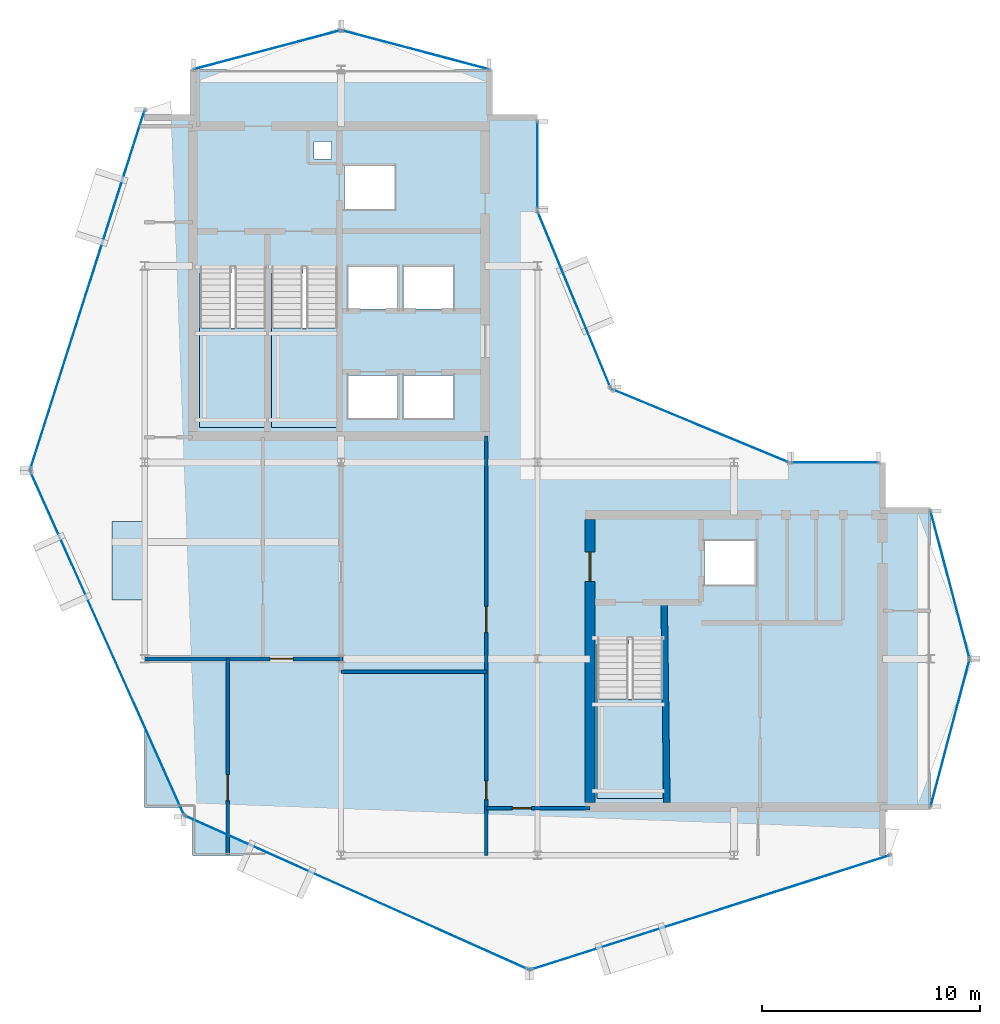
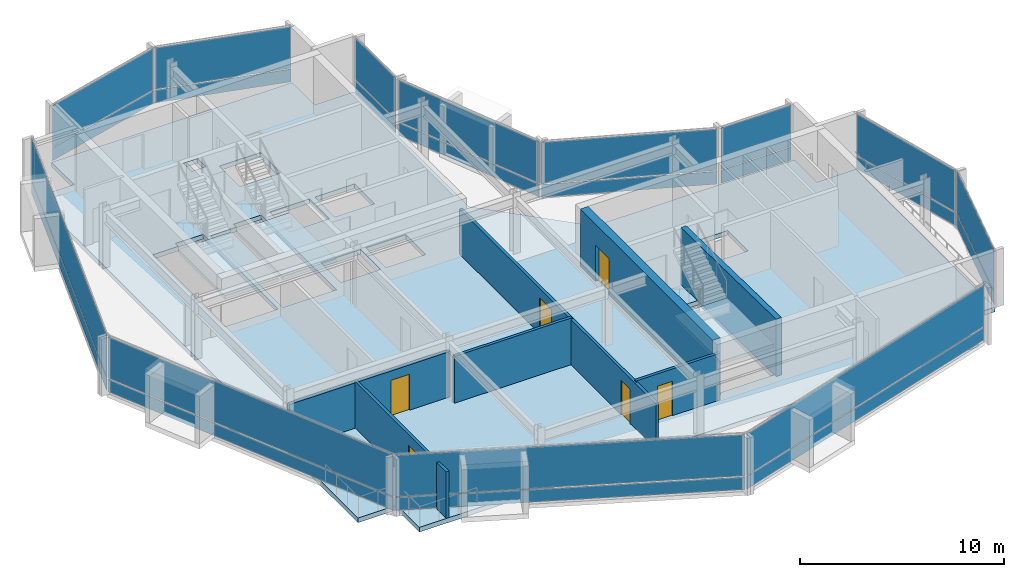
# One storey, part 13 of 19: 24 plates, 7 walls, 6 doors, 5 slabs, 6 openings, 15 elements without a shape of their own.
"""IFC4 building model written with IfcOpenShell, lengths in metres."""

from ifc_helpers import new_model, si_unit, direction, frame, frame_2d, origin, origin_2d, place, context, subcontext, project, spatial, polyline, rectangle, outline, extrude, material, layer, layer_set, type_object, element, fill, aggregate, save


model = new_model("IFC4")

# Units and contexts
model_context = context("Model", 3, precision=1e-05, world=origin(), true_north=direction((0.0, 1.0)))
body_context = subcontext(model_context, "Body", "Model", "MODEL_VIEW")
ifc_project = project(units=[si_unit("LENGTHUNIT", "METRE"), si_unit("AREAUNIT", "SQUARE_METRE"), si_unit("VOLUMEUNIT", "CUBIC_METRE"), si_unit("PLANEANGLEUNIT", "RADIAN"), si_unit("MASSUNIT", "GRAM", prefix="KILO")], contexts=[model_context])

# Site, building, storey
site_placement = place(None, origin())
site = spatial("IfcSite", under=ifc_project, at=site_placement, CompositionType="ELEMENT")
building_placement = place(site_placement, origin())
building = spatial("IfcBuilding", under=site, at=building_placement, Name="Solvaryn Broadcast Tower", CompositionType="ELEMENT")
storey_placement = place(building_placement, frame((0.0, 0.0, 270.39990234375)))
storey = spatial("IfcBuildingStorey", under=building, at=storey_placement, Name="L68", CompositionType="ELEMENT", Elevation=270.39990234375)

# Curtain wall, plates
ifc_material_1 = material(Name="Aluminium and Terracotta Unitised Curtain Wall", Category="masonry")
ifc_layer_1 = layer(ifc_material_1, 0.199951171875)
ifc_layer_set_1 = layer_set([ifc_layer_1], Name="CW-SYS2-LOWMID")
curtain_wall_type = type_object("IfcCurtainWallType", Name="CW-SYS2-LOWMID", PredefinedType="NOTDEFINED", material=ifc_layer_set_1)
curtain_wall_1_placement = place(storey_placement, origin())
curtain_wall_1 = element("IfcCurtainWall", 1, at=curtain_wall_1_placement, inside=storey, type_object=curtain_wall_type, Name="L68 Curtain Wall DR1", PredefinedType="NOTDEFINED")
ifc_material_2 = material(Name="Kiln-Fired Architectural Terracotta Spandrel", Category="masonry")
ifc_layer_2 = layer(ifc_material_2, 0.048095703125)
ifc_layer_set_2 = layer_set([ifc_layer_2], Name="CW-PNL-TERRACOTTA")
plate_type = type_object("IfcPlateType", Name="CW-PNL-TERRACOTTA", PredefinedType="CURTAIN_PANEL", material=ifc_layer_set_2)
plate_1_placement = place(storey_placement, frame((6.368896484375, 34.892578125, 0.06005859375), z_axis=(0.0, 0.0, 1.0), x_axis=(-0.30361564569, -0.952794594701, 0.0)))
plate_1 = element("IfcPlate", 2, at=plate_1_placement, type_object=plate_type, Name="CWS2 panel 1.1", PredefinedType="CURTAIN_PANEL", context=body_context, shape_type="SweptSolid", body=[
    extrude(rectangle(XDim=17.211181640625, YDim=0.028076171875, at=origin_2d()), origin(), (0.0, 0.0, 1.0), 0.760009765625),
])
plate_2_placement = place(storey_placement, frame((6.368896484375, 34.892578125, 0.880126953125), z_axis=(0.0, 0.0, 1.0), x_axis=(-0.30361564569, -0.952794594701, 0.0)))
plate_2 = element("IfcPlate", 3, at=plate_2_placement, type_object=plate_type, Name="CWS2 panel 1.2", PredefinedType="CURTAIN_PANEL", context=body_context, shape_type="SweptSolid", body=[
    extrude(rectangle(XDim=17.211181640625, YDim=0.028076171875, at=origin_2d()), origin(), (0.0, 0.0, 1.0), 2.47998046875),
])
aggregate(curtain_wall_1, [plate_1, plate_2])

curtain_wall_2_placement = place(storey_placement, origin())
curtain_wall_2 = element("IfcCurtainWall", 4, at=curtain_wall_2_placement, inside=storey, type_object=curtain_wall_type, Name="L68 Curtain Wall DR2", PredefinedType="NOTDEFINED")
plate_3_placement = place(storey_placement, frame((7.277587890625, 18.7265625, 0.06005859375), z_axis=(0.0, 0.0, 1.0), x_axis=(0.408466010682, -0.912773530574, 0.0)))
plate_3 = element("IfcPlate", 5, at=plate_3_placement, type_object=plate_type, Name="CWS2 panel 1.1", PredefinedType="CURTAIN_PANEL", context=body_context, shape_type="SweptSolid", body=[
    extrude(rectangle(XDim=17.210693359375, YDim=0.028076171875, at=origin_2d()), origin(), (0.0, 0.0, 1.0), 0.760009765625),
])
plate_4_placement = place(storey_placement, frame((7.277587890625, 18.7265625, 0.880126953125), z_axis=(0.0, 0.0, 1.0), x_axis=(0.408466010682, -0.912773530574, 0.0)))
plate_4 = element("IfcPlate", 6, at=plate_4_placement, type_object=plate_type, Name="CWS2 panel 1.2", PredefinedType="CURTAIN_PANEL", context=body_context, shape_type="SweptSolid", body=[
    extrude(rectangle(XDim=17.210693359375, YDim=0.028076171875, at=origin_2d()), origin(), (0.0, 0.0, 1.0), 2.47998046875),
])
aggregate(curtain_wall_2, [plate_3, plate_4])

curtain_wall_3_placement = place(storey_placement, origin())
curtain_wall_3 = element("IfcCurtainWall", 7, at=curtain_wall_3_placement, inside=storey, type_object=curtain_wall_type, Name="L68 Curtain Wall DR3", PredefinedType="NOTDEFINED")
plate_5_placement = place(storey_placement, frame((18.7265625, 7.277587890625, 0.06005859375), z_axis=(0.0, 0.0, 1.0), x_axis=(0.912773530574, -0.408466010682, 0.0)))
plate_5 = element("IfcPlate", 8, at=plate_5_placement, type_object=plate_type, Name="CWS2 panel 1.1", PredefinedType="CURTAIN_PANEL", context=body_context, shape_type="SweptSolid", body=[
    extrude(rectangle(XDim=17.210693359375, YDim=0.028076171875, at=origin_2d()), origin(), (0.0, 0.0, 1.0), 0.760009765625),
])
plate_6_placement = place(storey_placement, frame((18.7265625, 7.277587890625, 0.880126953125), z_axis=(0.0, 0.0, 1.0), x_axis=(0.912773530574, -0.408466010682, 0.0)))
plate_6 = element("IfcPlate", 9, at=plate_6_placement, type_object=plate_type, Name="CWS2 panel 1.2", PredefinedType="CURTAIN_PANEL", context=body_context, shape_type="SweptSolid", body=[
    extrude(rectangle(XDim=17.210693359375, YDim=0.028076171875, at=origin_2d()), origin(), (0.0, 0.0, 1.0), 2.47998046875),
])
aggregate(curtain_wall_3, [plate_5, plate_6])

curtain_wall_4_placement = place(storey_placement, origin())
curtain_wall_4 = element("IfcCurtainWall", 10, at=curtain_wall_4_placement, inside=storey, type_object=curtain_wall_type, Name="L68 Curtain Wall DR4", PredefinedType="NOTDEFINED")
plate_7_placement = place(storey_placement, frame((34.892578125, 6.368896484375, 0.06005859375), z_axis=(0.0, 0.0, 1.0), x_axis=(0.952794594701, 0.30361564569, 0.0)))
plate_7 = element("IfcPlate", 11, at=plate_7_placement, type_object=plate_type, Name="CWS2 panel 1.1", PredefinedType="CURTAIN_PANEL", context=body_context, shape_type="SweptSolid", body=[
    extrude(rectangle(XDim=17.211181640625, YDim=0.028076171875, at=origin_2d()), origin(), (0.0, 0.0, 1.0), 0.760009765625),
])
plate_8_placement = place(storey_placement, frame((34.892578125, 6.368896484375, 0.880126953125), z_axis=(0.0, 0.0, 1.0), x_axis=(0.952794594701, 0.30361564569, 0.0)))
plate_8 = element("IfcPlate", 12, at=plate_8_placement, type_object=plate_type, Name="CWS2 panel 1.2", PredefinedType="CURTAIN_PANEL", context=body_context, shape_type="SweptSolid", body=[
    extrude(rectangle(XDim=17.211181640625, YDim=0.028076171875, at=origin_2d()), origin(), (0.0, 0.0, 1.0), 2.47998046875),
])
aggregate(curtain_wall_4, [plate_7, plate_8])

curtain_wall_5_placement = place(storey_placement, origin())
curtain_wall_5 = element("IfcCurtainWall", 13, at=curtain_wall_5_placement, inside=storey, type_object=curtain_wall_type, Name="L68 Curtain Wall IV", PredefinedType="NOTDEFINED")
plate_9_placement = place(storey_placement, frame((27.0, 40.625, 0.06005859375), z_axis=(0.0, 0.0, 1.0), x_axis=(0.0, -1.0, 0.0)))
plate_9 = element("IfcPlate", 14, at=plate_9_placement, type_object=plate_type, Name="CWS2 panel 1.1", PredefinedType="CURTAIN_PANEL", context=body_context, shape_type="SweptSolid", body=[
    extrude(rectangle(XDim=3.929931640625, YDim=0.028076171875, at=origin_2d()), origin(), (0.0, 0.0, 1.0), 0.760009765625),
])
plate_10_placement = place(storey_placement, frame((27.0, 40.625, 0.880126953125), z_axis=(0.0, 0.0, 1.0), x_axis=(0.0, -1.0, 0.0)))
plate_10 = element("IfcPlate", 15, at=plate_10_placement, type_object=plate_type, Name="CWS2 panel 1.2", PredefinedType="CURTAIN_PANEL", context=body_context, shape_type="SweptSolid", body=[
    extrude(rectangle(XDim=3.929931640625, YDim=0.028076171875, at=origin_2d()), origin(), (0.0, 0.0, 1.0), 2.47998046875),
])
aggregate(curtain_wall_5, [plate_9, plate_10])

curtain_wall_6_placement = place(storey_placement, origin())
curtain_wall_6 = element("IfcCurtainWall", 16, at=curtain_wall_6_placement, inside=storey, type_object=curtain_wall_type, Name="L68 Curtain Wall CN1", PredefinedType="NOTDEFINED")
plate_11_placement = place(storey_placement, frame((34.43408203125, 28.68408203125, 0.06005859375), z_axis=(0.0, 0.0, 1.0), x_axis=(-0.923894983957, 0.382646127145, 0.0)))
plate_11 = element("IfcPlate", 17, at=plate_11_placement, type_object=plate_type, Name="CWS2 panel 1.1", PredefinedType="CURTAIN_PANEL", context=body_context, shape_type="SweptSolid", body=[
    extrude(rectangle(XDim=8.681884765625, YDim=0.028076171875, at=origin_2d()), origin(), (0.0, 0.0, 1.0), 0.760009765625),
])
plate_12_placement = place(storey_placement, frame((34.43408203125, 28.68408203125, 0.880126953125), z_axis=(0.0, 0.0, 1.0), x_axis=(-0.923894983957, 0.382646127145, 0.0)))
plate_12 = element("IfcPlate", 18, at=plate_12_placement, type_object=plate_type, Name="CWS2 panel 1.2", PredefinedType="CURTAIN_PANEL", context=body_context, shape_type="SweptSolid", body=[
    extrude(rectangle(XDim=8.681884765625, YDim=0.028076171875, at=origin_2d()), origin(), (0.0, 0.0, 1.0), 2.47998046875),
])
aggregate(curtain_wall_6, [plate_11, plate_12])

curtain_wall_7_placement = place(storey_placement, origin())
curtain_wall_7 = element("IfcCurtainWall", 19, at=curtain_wall_7_placement, inside=storey, type_object=curtain_wall_type, Name="L68 Curtain Wall CN2", PredefinedType="NOTDEFINED")
plate_13_placement = place(storey_placement, frame((28.68408203125, 34.43408203125, 0.06005859375), z_axis=(0.0, 0.0, 1.0), x_axis=(-0.382646127145, 0.923894983957, 0.0)))
plate_13 = element("IfcPlate", 20, at=plate_13_placement, type_object=plate_type, Name="CWS2 panel 1.1", PredefinedType="CURTAIN_PANEL", context=body_context, shape_type="SweptSolid", body=[
    extrude(rectangle(XDim=8.681884765625, YDim=0.028076171875, at=origin_2d()), origin(), (0.0, 0.0, 1.0), 0.760009765625),
])
plate_14_placement = place(storey_placement, frame((28.68408203125, 34.43408203125, 0.880126953125), z_axis=(0.0, 0.0, 1.0), x_axis=(-0.382646127145, 0.923894983957, 0.0)))
plate_14 = element("IfcPlate", 21, at=plate_14_placement, type_object=plate_type, Name="CWS2 panel 1.2", PredefinedType="CURTAIN_PANEL", context=body_context, shape_type="SweptSolid", body=[
    extrude(rectangle(XDim=8.681884765625, YDim=0.028076171875, at=origin_2d()), origin(), (0.0, 0.0, 1.0), 2.47998046875),
])
aggregate(curtain_wall_7, [plate_13, plate_14])

curtain_wall_8_placement = place(storey_placement, origin())
curtain_wall_8 = element("IfcCurtainWall", 22, at=curtain_wall_8_placement, inside=storey, type_object=curtain_wall_type, Name="L68 Curtain Wall NT1", PredefinedType="NOTDEFINED")
plate_15_placement = place(storey_placement, frame((21.39990234375, 45.89990234375, 0.06005859375), z_axis=(0.0, 0.0, 1.0), x_axis=(-0.966705227863, 0.25589256031, 0.0)))
plate_15 = element("IfcPlate", 23, at=plate_15_placement, type_object=plate_type, Name="CWS2 panel 1.1", PredefinedType="CURTAIN_PANEL", context=body_context, shape_type="SweptSolid", body=[
    extrude(rectangle(XDim=6.914306640625, YDim=0.028076171875, at=origin_2d()), origin(), (0.0, 0.0, 1.0), 0.760009765625),
])
plate_16_placement = place(storey_placement, frame((21.39990234375, 45.89990234375, 0.880126953125), z_axis=(0.0, 0.0, 1.0), x_axis=(-0.966705227863, 0.25589256031, 0.0)))
plate_16 = element("IfcPlate", 24, at=plate_16_placement, type_object=plate_type, Name="CWS2 panel 1.2", PredefinedType="CURTAIN_PANEL", context=body_context, shape_type="SweptSolid", body=[
    extrude(rectangle(XDim=6.914306640625, YDim=0.028076171875, at=origin_2d()), origin(), (0.0, 0.0, 1.0), 2.47998046875),
])
aggregate(curtain_wall_8, [plate_15, plate_16])

curtain_wall_9_placement = place(storey_placement, origin())
curtain_wall_9 = element("IfcCurtainWall", 25, at=curtain_wall_9_placement, inside=storey, type_object=curtain_wall_type, Name="L68 Curtain Wall NT2", PredefinedType="NOTDEFINED")
plate_17_placement = place(storey_placement, frame((14.60009765625, 45.89990234375, 0.06005859375), z_axis=(0.0, 0.0, 1.0), x_axis=(-0.966705227863, -0.25589256031, 0.0)))
plate_17 = element("IfcPlate", 26, at=plate_17_placement, type_object=plate_type, Name="CWS2 panel 1.1", PredefinedType="CURTAIN_PANEL", context=body_context, shape_type="SweptSolid", body=[
    extrude(rectangle(XDim=6.914306640625, YDim=0.028076171875, at=origin_2d()), origin(), (0.0, 0.0, 1.0), 0.760009765625),
])
plate_18_placement = place(storey_placement, frame((14.60009765625, 45.89990234375, 0.880126953125), z_axis=(0.0, 0.0, 1.0), x_axis=(-0.966705227863, -0.25589256031, 0.0)))
plate_18 = element("IfcPlate", 27, at=plate_18_placement, type_object=plate_type, Name="CWS2 panel 1.2", PredefinedType="CURTAIN_PANEL", context=body_context, shape_type="SweptSolid", body=[
    extrude(rectangle(XDim=6.914306640625, YDim=0.028076171875, at=origin_2d()), origin(), (0.0, 0.0, 1.0), 2.47998046875),
])
aggregate(curtain_wall_9, [plate_17, plate_18])

curtain_wall_10_placement = place(storey_placement, origin())
curtain_wall_10 = element("IfcCurtainWall", 28, at=curtain_wall_10_placement, inside=storey, type_object=curtain_wall_type, Name="L68 Curtain Wall ET1", PredefinedType="NOTDEFINED")
plate_19_placement = place(storey_placement, frame((45.89990234375, 21.39990234375, 0.06005859375), z_axis=(0.0, 0.0, 1.0), x_axis=(0.25589256031, -0.966705227863, 0.0)))
plate_19 = element("IfcPlate", 29, at=plate_19_placement, type_object=plate_type, Name="CWS2 panel 1.1", PredefinedType="CURTAIN_PANEL", context=body_context, shape_type="SweptSolid", body=[
    extrude(rectangle(XDim=6.914306640625, YDim=0.028076171875, at=origin_2d()), origin(), (0.0, 0.0, 1.0), 0.760009765625),
])
plate_20_placement = place(storey_placement, frame((45.89990234375, 21.39990234375, 0.880126953125), z_axis=(0.0, 0.0, 1.0), x_axis=(0.25589256031, -0.966705227863, 0.0)))
plate_20 = element("IfcPlate", 30, at=plate_20_placement, type_object=plate_type, Name="CWS2 panel 1.2", PredefinedType="CURTAIN_PANEL", context=body_context, shape_type="SweptSolid", body=[
    extrude(rectangle(XDim=6.914306640625, YDim=0.028076171875, at=origin_2d()), origin(), (0.0, 0.0, 1.0), 2.47998046875),
])
aggregate(curtain_wall_10, [plate_19, plate_20])

curtain_wall_11_placement = place(storey_placement, origin())
curtain_wall_11 = element("IfcCurtainWall", 31, at=curtain_wall_11_placement, inside=storey, type_object=curtain_wall_type, Name="L68 Curtain Wall ET2", PredefinedType="NOTDEFINED")
plate_21_placement = place(storey_placement, frame((45.89990234375, 14.60009765625, 0.06005859375), z_axis=(0.0, 0.0, 1.0), x_axis=(-0.25589256031, -0.966705227863, 0.0)))
plate_21 = element("IfcPlate", 32, at=plate_21_placement, type_object=plate_type, Name="CWS2 panel 1.1", PredefinedType="CURTAIN_PANEL", context=body_context, shape_type="SweptSolid", body=[
    extrude(rectangle(XDim=6.914306640625, YDim=0.028076171875, at=origin_2d()), origin(), (0.0, 0.0, 1.0), 0.760009765625),
])
plate_22_placement = place(storey_placement, frame((45.89990234375, 14.60009765625, 0.880126953125), z_axis=(0.0, 0.0, 1.0), x_axis=(-0.25589256031, -0.966705227863, 0.0)))
plate_22 = element("IfcPlate", 33, at=plate_22_placement, type_object=plate_type, Name="CWS2 panel 1.2", PredefinedType="CURTAIN_PANEL", context=body_context, shape_type="SweptSolid", body=[
    extrude(rectangle(XDim=6.914306640625, YDim=0.028076171875, at=origin_2d()), origin(), (0.0, 0.0, 1.0), 2.47998046875),
])
aggregate(curtain_wall_11, [plate_21, plate_22])

curtain_wall_12_placement = place(storey_placement, origin())
curtain_wall_12 = element("IfcCurtainWall", 34, at=curtain_wall_12_placement, inside=storey, type_object=curtain_wall_type, Name="L68 Curtain Wall IH", PredefinedType="NOTDEFINED")
plate_23_placement = place(storey_placement, frame((40.625, 27.0, 0.06005859375), z_axis=(0.0, 0.0, 1.0), x_axis=(1.0, 0.0, 0.0)))
plate_23 = element("IfcPlate", 35, at=plate_23_placement, type_object=plate_type, Name="CWS2 panel 1.1", PredefinedType="CURTAIN_PANEL", context=body_context, shape_type="SweptSolid", body=[
    extrude(rectangle(XDim=3.929931640625, YDim=0.028076171875, at=origin_2d()), origin(), (0.0, 0.0, 1.0), 0.760009765625),
])
plate_24_placement = place(storey_placement, frame((40.625, 27.0, 0.880126953125), z_axis=(0.0, 0.0, 1.0), x_axis=(1.0, 0.0, 0.0)))
plate_24 = element("IfcPlate", 36, at=plate_24_placement, type_object=plate_type, Name="CWS2 panel 1.2", PredefinedType="CURTAIN_PANEL", context=body_context, shape_type="SweptSolid", body=[
    extrude(rectangle(XDim=3.929931640625, YDim=0.028076171875, at=origin_2d()), origin(), (0.0, 0.0, 1.0), 2.47998046875),
])
aggregate(curtain_wall_12, [plate_23, plate_24])

# Slab
ifc_material_3 = material(Name="Concrete f'c 60 MPa", Category="concrete")
ifc_layer_3 = layer(ifc_material_3, 0.2099609375)
ifc_layer_set_3 = layer_set([ifc_layer_3], Name="SL-BAYBOX-210")
slab_type_1 = type_object("IfcSlabType", Name="SL-BAYBOX-210", PredefinedType="FLOOR", material=ifc_layer_set_3)
slab_1_placement = place(storey_placement, frame((0.0, 0.0, -0.2099609375)))
element("IfcSlab", 37, at=slab_1_placement, inside=storey, type_object=slab_type_1, Name="L68 Projecting Bay-Box Slab 1", PredefinedType="FLOOR", context=body_context, shape_type="SweptSolid", body=[
    extrude(outline(polyline([(7.5, 20.699951171875), (9.0, 20.699951171875), (9.0, 24.300048828125), (7.5, 24.300048828125), (7.5, 20.699951171875)])), origin(), (0.0, 0.0, 1.0), 0.2099609375),
])

# Stair, slab
ifc_material_4 = material(Name="Concrete f'c 60 MPa", Category="concrete")
stair_type = type_object("IfcStairType", Name="ST-CORE", PredefinedType="HALF_TURN_STAIR", material=ifc_material_4)
stair_1_placement = place(storey_placement, origin())
stair_1 = element("IfcStair", 38, at=stair_1_placement, inside=storey, type_object=stair_type, Name="L68 ST1", PredefinedType="HALF_TURN_STAIR")
ifc_material_5 = material(Name="Concrete f'c 60 MPa", Category="concrete")
ifc_layer_4 = layer(ifc_material_5, 0.199951171875)
ifc_layer_set_4 = layer_set([ifc_layer_4], Name="SL-LANDING-200")
slab_type_2 = type_object("IfcSlabType", Name="SL-LANDING-200", PredefinedType="LANDING", material=ifc_layer_set_4)
slab_2_placement = place(storey_placement, frame((0.0, 0.0, 1.650146484375)))
slab_2 = element("IfcSlab", 39, at=slab_2_placement, type_object=slab_type_2, Name="ST1 landing 1", PredefinedType="LANDING", context=body_context, shape_type="SweptSolid", body=[
    extrude(outline(polyline([(11.52001953125, 33.159912109375), (11.52001953125, 28.60009765625), (14.550048828125, 28.60009765625), (14.550048828125, 33.159912109375), (11.52001953125, 33.159912109375)])), origin(), (0.0, 0.0, 1.0), 0.199951171875),
])
aggregate(stair_1, [slab_2])

stair_2_placement = place(storey_placement, origin())
stair_2 = element("IfcStair", 40, at=stair_2_placement, inside=storey, type_object=stair_type, Name="L68 ST2", PredefinedType="HALF_TURN_STAIR")
slab_3_placement = place(storey_placement, frame((0.0, 0.0, 1.650146484375)))
slab_3 = element("IfcSlab", 41, at=slab_3_placement, type_object=slab_type_2, Name="ST2 landing 1", PredefinedType="LANDING", context=body_context, shape_type="SweptSolid", body=[
    extrude(outline(polyline([(14.800048828125, 33.159912109375), (14.800048828125, 28.60009765625), (17.830078125, 28.60009765625), (17.830078125, 33.159912109375), (14.800048828125, 33.159912109375)])), origin(), (0.0, 0.0, 1.0), 0.199951171875),
])
aggregate(stair_2, [slab_3])

stair_3_placement = place(storey_placement, origin())
stair_3 = element("IfcStair", 42, at=stair_3_placement, inside=storey, type_object=stair_type, Name="L68 ST3", PredefinedType="HALF_TURN_STAIR")
slab_4_placement = place(storey_placement, frame((0.0, 0.0, 1.650146484375)))
slab_4 = element("IfcSlab", 43, at=slab_4_placement, type_object=slab_type_2, Name="ST3 landing 1", PredefinedType="LANDING", context=body_context, shape_type="SweptSolid", body=[
    extrude(outline(polyline([(29.719970703125, 16.159912109375), (29.719970703125, 11.60009765625), (32.75, 11.60009765625), (32.75, 16.159912109375), (29.719970703125, 16.159912109375)])), origin(), (0.0, 0.0, 1.0), 0.199951171875),
])
aggregate(stair_3, [slab_4])

# Slab
ifc_material_6 = material(Name="Concrete f'c 60 MPa", Category="concrete")
ifc_layer_5 = layer(ifc_material_6, 0.280029296875)
ifc_layer_set_5 = layer_set([ifc_layer_5], Name="SL-TWR-280")
slab_type_3 = type_object("IfcSlabType", Name="SL-TWR-280", PredefinedType="FLOOR", material=ifc_layer_set_5)
slab_5_placement = place(storey_placement, frame((0.0, 0.0, -0.27978515625)))
element("IfcSlab", 44, at=slab_5_placement, inside=storey, type_object=slab_type_3, Name="L68 Structural Floor Slab", PredefinedType="FLOOR", context=body_context, shape_type="SweptSolid", body=[
    extrude(outline(polyline([(11.199951171875, 9.0), (42.800048828125, 9.0), (42.800048828125, 11.199951171875), (45.0, 11.199951171875), (45.0, 24.800048828125), (42.800048828125, 24.800048828125), (42.800048828125, 27.0), (31.5, 27.0), (27.0, 31.5), (27.0, 42.800048828125), (24.800048828125, 42.800048828125), (24.800048828125, 45.0), (11.199951171875, 45.0), (11.199951171875, 42.800048828125), (9.0, 42.800048828125), (9.0, 11.199951171875), (11.199951171875, 11.199951171875), (11.199951171875, 9.0)]), holes=[polyline([(11.52001953125, 28.60009765625), (14.550048828125, 28.60009765625), (14.550048828125, 35.9599609375), (12.97998046875, 35.9599609375), (12.97998046875, 35.679931640625), (11.52001953125, 35.679931640625), (11.52001953125, 28.60009765625)]), polyline([(14.800048828125, 28.60009765625), (17.830078125, 28.60009765625), (17.830078125, 35.9599609375), (16.260009765625, 35.9599609375), (16.260009765625, 35.679931640625), (14.800048828125, 35.679931640625), (14.800048828125, 28.60009765625)]), polyline([(29.719970703125, 11.60009765625), (32.75, 11.60009765625), (32.75, 18.9599609375), (31.179931640625, 18.9599609375), (31.179931640625, 18.679931640625), (29.719970703125, 18.679931640625), (29.719970703125, 11.60009765625)]), polyline([(18.14990234375, 38.60009765625), (20.449951171875, 38.60009765625), (20.449951171875, 40.60009765625), (18.14990234375, 40.60009765625), (18.14990234375, 38.60009765625)]), polyline([(18.324951171875, 29.02490234375), (20.574951171875, 29.02490234375), (20.574951171875, 30.97509765625), (18.324951171875, 30.97509765625), (18.324951171875, 29.02490234375)]), polyline([(20.875, 29.02490234375), (23.125, 29.02490234375), (23.125, 30.97509765625), (20.875, 30.97509765625), (20.875, 29.02490234375)]), polyline([(18.324951171875, 34.02490234375), (20.574951171875, 34.02490234375), (20.574951171875, 35.97509765625), (18.324951171875, 35.97509765625), (18.324951171875, 34.02490234375)]), polyline([(20.875, 34.02490234375), (23.125, 34.02490234375), (23.125, 35.97509765625), (20.875, 35.97509765625), (20.875, 34.02490234375)]), polyline([(34.64990234375, 21.39990234375), (36.949951171875, 21.39990234375), (36.949951171875, 23.39990234375), (34.64990234375, 23.39990234375), (34.64990234375, 21.39990234375)]), polyline([(16.75, 40.89990234375), (17.550048828125, 40.89990234375), (17.550048828125, 41.699951171875), (16.75, 41.699951171875), (16.75, 40.89990234375)])]), origin(), (0.0, 0.0, 1.0), 0.27978515625),
])

# Wall, opening, door
ifc_material_7 = material(Name="Concrete f'c 70 MPa", Category="concrete")
ifc_layer_6 = layer(ifc_material_7, 0.449951171875)
ifc_layer_set_6 = layer_set([ifc_layer_6], Name="CW-SHEAR-450")
wall_type_1 = type_object("IfcWallType", Name="CW-SHEAR-450", PredefinedType="SHEAR", material=ifc_layer_set_6)
wall_1_placement = place(storey_placement, frame((29.39990234375, 24.375, 0.0), z_axis=(0.0, 0.0, 1.0), x_axis=(0.0, -1.0, 0.0)))
wall_1 = element("IfcWall", 45, at=wall_1_placement, inside=storey, type_object=wall_type_1, Name="L68 East Core West Shear Wall", PredefinedType="SHEAR", context=body_context, shape_type="SweptSolid", body=[
    extrude(rectangle(XDim=12.949951171875, YDim=0.449951171875, at=frame_2d((6.47509765625, 0.0))), origin(), (0.0, 0.0, 1.0), 3.420166015625),
])
opening_1_placement = place(wall_1_placement, frame((1.47509765625, 0.0, 0.0)))
opening_1 = element("IfcOpeningElement", 46, at=opening_1_placement, cuts=wall_1, Name="Opening FD90B", PredefinedType="OPENING", context=body_context, shape_type="SweptSolid", body=[
    extrude(rectangle(XDim=1.35009765625, YDim=2.14990234375, at=frame_2d((0.675048828125, 1.074951171875))), frame((0.0, 0.235107421875, 0.0), z_axis=(0.0, -1.0, 0.0), x_axis=(1.0, 0.0, 0.0)), (0.0, 0.0, 1.0), 0.469970703125),
])
ifc_material_8 = material(Name="Flush Acoustic Steel and Timber Door Assembly", Category="steel")
door_type_1 = type_object("IfcDoorType", Name="FD90-LOBBY-1350X2150", OperationType="NOTDEFINED", PredefinedType="DOOR", material=ifc_material_8)
door_1_placement = place(opening_1_placement, origin())
door_1 = element("IfcDoor", 47, at=door_1_placement, inside=storey, type_object=door_type_1, Name="L68 East FSAE Lobby Door", OperationType="SINGLE_SWING_RIGHT", OverallHeight=2.14990234375, OverallWidth=1.35009765625, PredefinedType="DOOR", context=body_context, shape_type="SweptSolid", body=[
    extrude(rectangle(XDim=1.35009765625, YDim=2.14990234375, at=frame_2d((0.675048828125, 1.074951171875))), frame((0.0, 0.02490234375, 0.0), z_axis=(0.0, -1.0, 0.0), x_axis=(1.0, 0.0, 0.0)), (0.0, 0.0, 1.0), 0.050048828125),
])
fill(opening_1, door_1)

# Wall, openings, doors
ifc_material_9 = material(Name="Metal-Stud Gypsum Office Partition")
ifc_layer_7 = layer(ifc_material_9, 0.159912109375)
ifc_layer_set_7 = layer_set([ifc_layer_7], Name="IW-PART-160")
wall_type_2 = type_object("IfcWallType", Name="IW-PART-160", PredefinedType="PARTITIONING", material=ifc_layer_set_7)
wall_2_placement = place(storey_placement, frame((24.64990234375, 9.0, 0.0), z_axis=(0.0, 0.0, 1.0), x_axis=(0.0, 1.0, 0.0)))
wall_2 = element("IfcWall", 48, at=wall_2_placement, inside=storey, type_object=wall_type_2, Name="L68 Interior Partition IW-L68-SW-EB", PredefinedType="PARTITIONING", context=body_context, shape_type="SweptSolid", body=[
    extrude(rectangle(XDim=19.199951171875, YDim=0.159912109375, at=frame_2d((9.60009765625, 0.0))), origin(), (0.0, 0.0, 1.0), 2.70703125),
])
opening_2_placement = place(wall_2_placement, frame((10.199951171875, 0.0, 0.0)))
opening_2 = element("IfcOpeningElement", 49, at=opening_2_placement, cuts=wall_2, Name="Opening ID04", PredefinedType="OPENING", context=body_context, shape_type="SweptSolid", body=[
    extrude(rectangle(XDim=1.199951171875, YDim=2.14990234375, at=frame_2d((0.60009765625, 1.074951171875))), frame((0.0, 0.090087890625, 0.0), z_axis=(0.0, -1.0, 0.0), x_axis=(1.0, 0.0, 0.0)), (0.0, 0.0, 1.0), 0.179931640625),
])
opening_3_placement = place(wall_2_placement, frame((2.550048828125, 0.0, 0.0)))
opening_3 = element("IfcOpeningElement", 50, at=opening_3_placement, cuts=wall_2, Name="Opening ID07", PredefinedType="OPENING", context=body_context, shape_type="SweptSolid", body=[
    extrude(rectangle(XDim=0.860107421875, YDim=2.050048828125, at=frame_2d((0.43017578125, 1.02490234375))), frame((0.0, 0.090087890625, 0.0), z_axis=(0.0, -1.0, 0.0), x_axis=(1.0, 0.0, 0.0)), (0.0, 0.0, 1.0), 0.179931640625),
])
ifc_material_10 = material(Name="Flush Acoustic Steel and Timber Door Assembly", Category="steel")
door_type_2 = type_object("IfcDoorType", Name="ID-04-1200X2150", OperationType="NOTDEFINED", PredefinedType="DOOR", material=ifc_material_10)
door_2_placement = place(opening_2_placement, origin())
door_2 = element("IfcDoor", 51, at=door_2_placement, inside=storey, type_object=door_type_2, Name="L68 Door DR-L68-SWL-E1", OperationType="SINGLE_SWING_RIGHT", OverallHeight=2.14990234375, OverallWidth=1.199951171875, PredefinedType="DOOR", context=body_context, shape_type="SweptSolid", body=[
    extrude(rectangle(XDim=1.199951171875, YDim=2.14990234375, at=frame_2d((0.60009765625, 1.074951171875))), frame((0.0, 0.02490234375, 0.0), z_axis=(0.0, -1.0, 0.0), x_axis=(1.0, 0.0, 0.0)), (0.0, 0.0, 1.0), 0.050048828125),
])
fill(opening_2, door_2)
ifc_material_11 = material(Name="Flush Acoustic Steel and Timber Door Assembly", Category="steel")
door_type_3 = type_object("IfcDoorType", Name="ID-07-860X2050", OperationType="NOTDEFINED", PredefinedType="DOOR", material=ifc_material_11)
door_3_placement = place(opening_3_placement, origin())
door_3 = element("IfcDoor", 52, at=door_3_placement, inside=storey, type_object=door_type_3, Name="L68 Door DR-L68-SWL-E2", OperationType="SINGLE_SWING_LEFT", OverallHeight=2.050048828125, OverallWidth=0.860107421875, PredefinedType="DOOR", context=body_context, shape_type="SweptSolid", body=[
    extrude(rectangle(XDim=0.860107421875, YDim=2.050048828125, at=frame_2d((0.43017578125, 1.02490234375))), frame((0.0, 0.02490234375, 0.0), z_axis=(0.0, -1.0, 0.0), x_axis=(1.0, 0.0, 0.0)), (0.0, 0.0, 1.0), 0.050048828125),
])
fill(opening_3, door_3)

# Wall
wall_3_placement = place(storey_placement, frame((18.0, 17.39990234375, 0.0), z_axis=(0.0, 0.0, 1.0), x_axis=(1.0, 0.0, 0.0)))
element("IfcWall", 53, at=wall_3_placement, inside=storey, type_object=wall_type_2, Name="L68 Interior Partition IW-L68-SW-RH", PredefinedType="PARTITIONING", context=body_context, shape_type="SweptSolid", body=[
    extrude(rectangle(XDim=6.64990234375, YDim=0.159912109375, at=frame_2d((3.324951171875, 0.0))), origin(), (0.0, 0.0, 1.0), 2.7890625),
])

# Wall, opening, door
wall_4_placement = place(storey_placement, frame((12.800048828125, 9.0, 0.0), z_axis=(0.0, 0.0, 1.0), x_axis=(0.0, 1.0, 0.0)))
wall_4 = element("IfcWall", 54, at=wall_4_placement, inside=storey, type_object=wall_type_2, Name="L68 Interior Partition IW-L68-SW-SWV", PredefinedType="PARTITIONING", context=body_context, shape_type="SweptSolid", body=[
    extrude(rectangle(XDim=9.0, YDim=0.159912109375, at=frame_2d((4.5, 0.0))), origin(), (0.0, 0.0, 1.0), 2.7890625),
])
opening_4_placement = place(wall_4_placement, frame((2.5, 0.0, 0.0)))
opening_4 = element("IfcOpeningElement", 55, at=opening_4_placement, cuts=wall_4, Name="Opening ID04", PredefinedType="OPENING", context=body_context, shape_type="SweptSolid", body=[
    extrude(rectangle(XDim=1.199951171875, YDim=2.14990234375, at=frame_2d((0.60009765625, 1.074951171875))), frame((0.0, 0.090087890625, 0.0), z_axis=(0.0, -1.0, 0.0), x_axis=(1.0, 0.0, 0.0)), (0.0, 0.0, 1.0), 0.179931640625),
])
door_4_placement = place(opening_4_placement, origin())
door_4 = element("IfcDoor", 56, at=door_4_placement, inside=storey, type_object=door_type_2, Name="L68 Door DR-L68-SWL-SW", OperationType="SINGLE_SWING_LEFT", OverallHeight=2.14990234375, OverallWidth=1.199951171875, PredefinedType="DOOR", context=body_context, shape_type="SweptSolid", body=[
    extrude(rectangle(XDim=1.199951171875, YDim=2.14990234375, at=frame_2d((0.60009765625, 1.074951171875))), frame((0.0, 0.02490234375, 0.0), z_axis=(0.0, -1.0, 0.0), x_axis=(1.0, 0.0, 0.0)), (0.0, 0.0, 1.0), 0.050048828125),
])
fill(opening_4, door_4)

wall_5_placement = place(storey_placement, frame((24.64990234375, 11.14990234375, 0.0), z_axis=(0.0, 0.0, 1.0), x_axis=(1.0, 0.0, 0.0)))
wall_5 = element("IfcWall", 57, at=wall_5_placement, inside=storey, type_object=wall_type_2, Name="L68 Interior Partition IW-L68-SC-N", PredefinedType="PARTITIONING", context=body_context, shape_type="SweptSolid", body=[
    extrude(rectangle(XDim=4.75, YDim=0.159912109375, at=frame_2d((2.375, 0.0))), origin(), (0.0, 0.0, 1.0), 2.7919921875),
])
opening_5_placement = place(wall_5_placement, frame((1.199951171875, 0.0, 0.0)))
opening_5 = element("IfcOpeningElement", 58, at=opening_5_placement, cuts=wall_5, Name="Opening ID07", PredefinedType="OPENING", context=body_context, shape_type="SweptSolid", body=[
    extrude(rectangle(XDim=0.860107421875, YDim=2.050048828125, at=frame_2d((0.43017578125, 1.02490234375))), frame((0.0, 0.090087890625, 0.0), z_axis=(0.0, -1.0, 0.0), x_axis=(1.0, 0.0, 0.0)), (0.0, 0.0, 1.0), 0.179931640625),
])
door_5_placement = place(opening_5_placement, origin())
door_5 = element("IfcDoor", 59, at=door_5_placement, inside=storey, type_object=door_type_3, Name="L68 Door DR-L68-SC0", OperationType="SINGLE_SWING_RIGHT", OverallHeight=2.050048828125, OverallWidth=0.860107421875, PredefinedType="DOOR", context=body_context, shape_type="SweptSolid", body=[
    extrude(rectangle(XDim=0.860107421875, YDim=2.050048828125, at=frame_2d((0.43017578125, 1.02490234375))), frame((0.0, 0.02490234375, 0.0), z_axis=(0.0, -1.0, 0.0), x_axis=(1.0, 0.0, 0.0)), (0.0, 0.0, 1.0), 0.050048828125),
])
fill(opening_5, door_5)

ifc_material_12 = material(Name="Acoustic Metal-Stud Gypsum Partition")
ifc_layer_8 = layer(ifc_material_12, 0.179931640625)
ifc_layer_set_8 = layer_set([ifc_layer_8], Name="IW-PART-180")
wall_type_3 = type_object("IfcWallType", Name="IW-PART-180", PredefinedType="PARTITIONING", material=ifc_layer_set_8)
wall_6_placement = place(storey_placement, frame((9.0, 18.0, 0.0), z_axis=(0.0, 0.0, 1.0), x_axis=(1.0, 0.0, 0.0)))
wall_6 = element("IfcWall", 60, at=wall_6_placement, inside=storey, type_object=wall_type_3, Name="L68 Interior Partition IW-L68-SW-LH", PredefinedType="PARTITIONING", context=body_context, shape_type="SweptSolid", body=[
    extrude(rectangle(XDim=9.080078125, YDim=0.179931640625, at=frame_2d((4.5400390625, 0.0))), origin(), (0.0, 0.0, 1.0), 2.70703125),
])
opening_6_placement = place(wall_6_placement, frame((5.75, 0.0, 0.0)))
opening_6 = element("IfcOpeningElement", 61, at=opening_6_placement, cuts=wall_6, Name="Opening ID03", PredefinedType="OPENING", context=body_context, shape_type="SweptSolid", body=[
    extrude(rectangle(XDim=1.050048828125, YDim=2.14990234375, at=frame_2d((0.52490234375, 1.074951171875))), frame((0.0, 0.099853515625, 0.0), z_axis=(0.0, -1.0, 0.0), x_axis=(1.0, 0.0, 0.0)), (0.0, 0.0, 1.0), 0.199951171875),
])
ifc_material_13 = material(Name="Flush Acoustic Steel and Timber Door Assembly", Category="steel")
door_type_4 = type_object("IfcDoorType", Name="ID-03-1050X2150", OperationType="NOTDEFINED", PredefinedType="DOOR", material=ifc_material_13)
door_6_placement = place(opening_6_placement, origin())
door_6 = element("IfcDoor", 62, at=door_6_placement, inside=storey, type_object=door_type_4, Name="L68 Door DR-L68-SWL-LH", OperationType="SINGLE_SWING_RIGHT", OverallHeight=2.14990234375, OverallWidth=1.050048828125, PredefinedType="DOOR", context=body_context, shape_type="SweptSolid", body=[
    extrude(rectangle(XDim=1.050048828125, YDim=2.14990234375, at=frame_2d((0.52490234375, 1.074951171875))), frame((0.0, 0.02490234375, 0.0), z_axis=(0.0, -1.0, 0.0), x_axis=(1.0, 0.0, 0.0)), (0.0, 0.0, 1.0), 0.050048828125),
])
fill(opening_6, door_6)

# Wall
ifc_material_14 = material(Name="Concrete f'c 70 MPa", Category="concrete")
ifc_layer_9 = layer(ifc_material_14, 0.300048828125)
ifc_layer_set_9 = layer_set([ifc_layer_9], Name="SW-SHAFT-300")
wall_type_4 = type_object("IfcWallType", Name="SW-SHAFT-300", PredefinedType="SHEAR", material=ifc_layer_set_9)
wall_7_placement = place(storey_placement, frame((32.919921875, 11.425048828125, 0.0), z_axis=(0.0, 0.0, 1.0), x_axis=(-0.013135638869, 0.999913723774, 0.0)))
element("IfcWall", 63, at=wall_7_placement, inside=storey, type_object=wall_type_4, Name="L68 Stair 3 East Shear Wall", PredefinedType="SHEAR", context=body_context, shape_type="SweptSolid", body=[
    extrude(rectangle(XDim=9.125732421875, YDim=0.300048828125, at=frame_2d((4.56298828125, 0.0))), origin(), (0.0, 0.0, 1.0), 3.420166015625),
])

save(model, "model.ifc")
